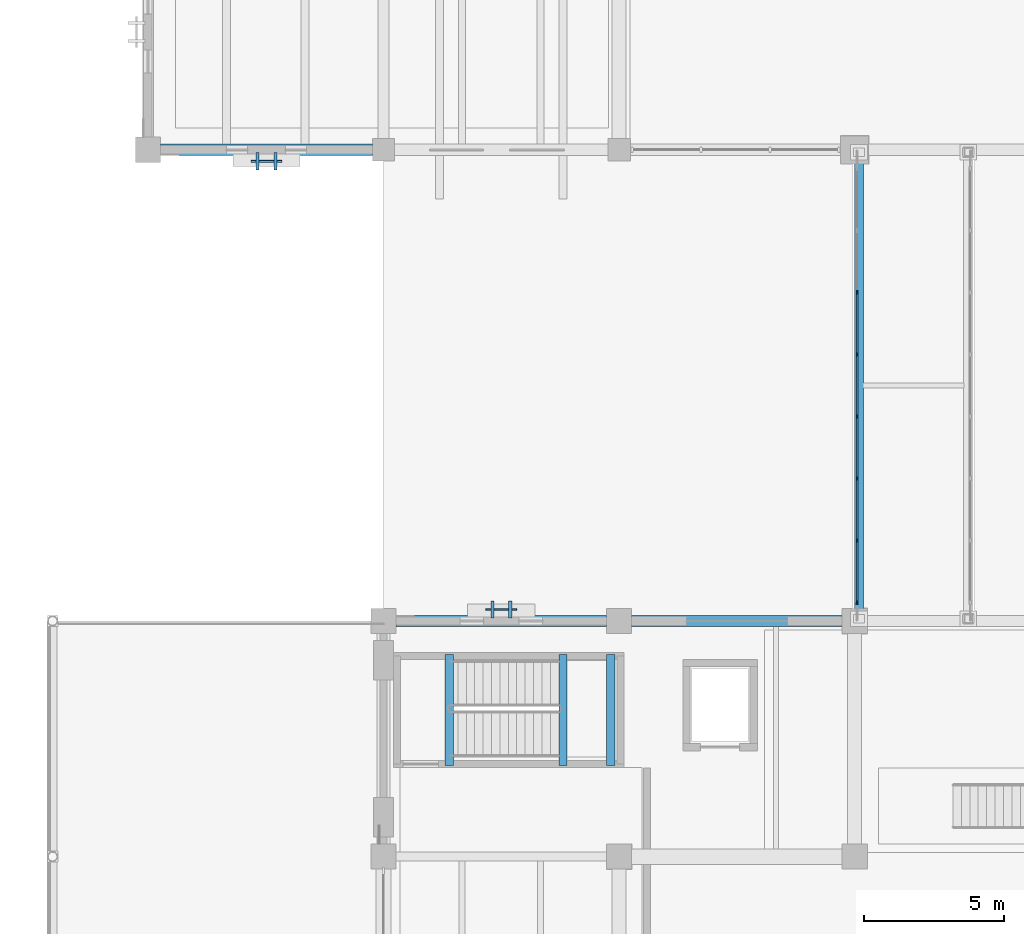
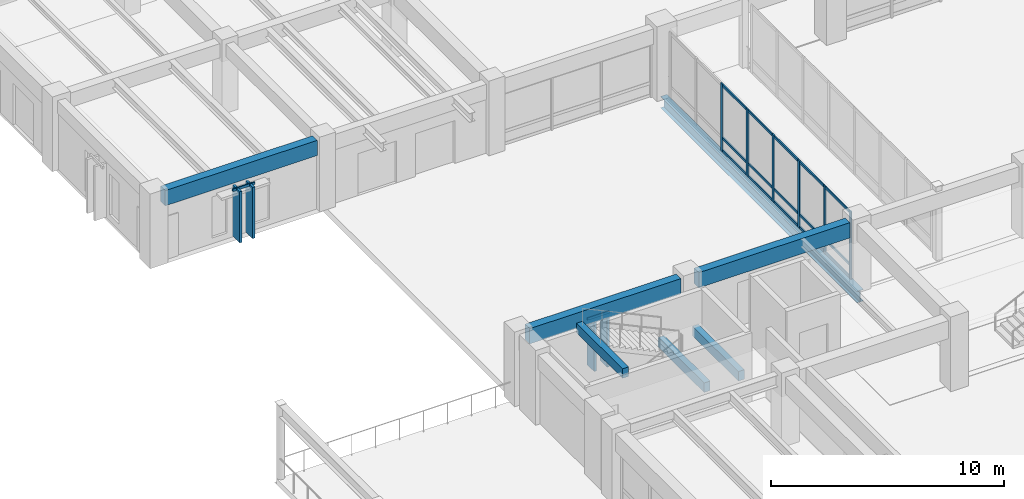
# One storey, part 36 of 135: 27 members, 7 beams, 3 elements without a shape of their own.
"""IFC4 building model written with IfcOpenShell, lengths in metres."""

from ifc_helpers import new_model, si_unit, direction, frame, origin, origin_2d, place, context, subcontext, project, spatial, rectangle, i_section, extrude, material, material_profile, profile_set, type_object, element, aggregate, save


model = new_model("IFC4")

# Units and contexts
model_context = context("Model", 3, precision=1e-05, world=origin(), true_north=direction((0.0, 1.0)))
body_context = subcontext(model_context, "Body", "Model", "MODEL_VIEW")
ifc_project = project(units=[si_unit("LENGTHUNIT", "METRE"), si_unit("AREAUNIT", "SQUARE_METRE"), si_unit("VOLUMEUNIT", "CUBIC_METRE"), si_unit("PLANEANGLEUNIT", "RADIAN"), si_unit("MASSUNIT", "GRAM", prefix="KILO")], contexts=[model_context])

# Site, building, storey
site_placement = place(None, origin())
site = spatial("IfcSite", under=ifc_project, at=site_placement, CompositionType="ELEMENT")
building_placement = place(site_placement, origin())
building = spatial("IfcBuilding", under=site, at=building_placement, Name="Cumbredor Promenade Congress Hotel", CompositionType="ELEMENT")
storey_placement = place(building_placement, origin())
storey = spatial("IfcBuildingStorey", under=building, at=storey_placement, Name="L00", CompositionType="ELEMENT", Elevation=0.0)

# Beam
ifc_material_1 = material(Name="Steel ASTM A992 Grade 50", Category="steel")
ifc_material_profile_1 = material_profile(ifc_material_1, i_section(OverallWidth=0.323974609375, OverallDepth=0.611083984375, WebThickness=0.0126953125, FlangeThickness=0.01904296875, at=origin_2d()), Name="W24X104")
ifc_profile_set_1 = profile_set([ifc_material_profile_1], Name="Steel ASTM A992 Grade 50")
beam_type_1 = type_object("IfcBeamType", Name="BM-W24X104", PredefinedType="BEAM", material=ifc_profile_set_1)
beam_1_placement = place(storey_placement, frame((25.35009765625, 67.159912109375, -0.525390625), z_axis=(0.0, 1.0, 0.0), x_axis=(-1.0, 0.0, 0.0)))
element("IfcBeam", 1, at=beam_1_placement, inside=storey, type_object=beam_type_1, Name="L00 West Congress-to-Hotel Glazed Bridge Edge Girder 1", PredefinedType="BEAM", context=body_context, shape_type="SweptSolid", body=[
    extrude(i_section(OverallWidth=0.323974609375, OverallDepth=0.611083984375, WebThickness=0.0126953125, FlangeThickness=0.01904296875, at=origin_2d()), origin(), (0.0, 0.0, 1.0), 16.880126953125),
])

# Curtain wall, members
ifc_material_2 = material(Name="Thermally broken anodized aluminium and low-E glass", Category="aluminium")
curtain_wall_type_1 = type_object("IfcCurtainWallType", Name="Unitised Bridge Glazing Screen CW-05", PredefinedType="NOTDEFINED", material=ifc_material_2)
curtain_wall_1_placement = place(storey_placement, origin())
curtain_wall_1 = element("IfcCurtainWall", 2, at=curtain_wall_1_placement, inside=storey, type_object=curtain_wall_type_1, Name="L00 West Congress-to-Hotel Glazed Bridge West Glazing Screen", PredefinedType="NOTDEFINED")
ifc_material_3 = material(Name="Thermally broken anodized aluminium", Category="aluminium")
ifc_material_profile_2 = material_profile(ifc_material_3, rectangle(XDim=0.06494140625, YDim=0.159912109375, at=origin_2d()), Name="ALU MULLION 65x160")
ifc_profile_set_2 = profile_set([ifc_material_profile_2], Name="Thermally broken anodized aluminium")
member_type_1 = type_object("IfcMemberType", Name="Curtain Wall Mullion ML-01", PredefinedType="MULLION", material=ifc_profile_set_2)
member_1_placement = place(storey_placement, frame((25.280029296875, 67.860107421875, -0.008056640625), z_axis=(0.0, 0.0, 1.0), x_axis=(1.0, 0.0, 0.0)))
member_1 = element("IfcMember", 3, at=member_1_placement, type_object=member_type_1, Name="L00 West Congress-to-Hotel Glazed Bridge West Glazing Screen Mullion 1", PredefinedType="MULLION", context=body_context, shape_type="SweptSolid", body=[
    extrude(rectangle(XDim=0.06494140625, YDim=0.159912109375, at=origin_2d()), origin(), (0.0, 0.0, 1.0), 3.55615234375),
])
member_2_placement = place(storey_placement, frame((25.280029296875, 70.0712890625, -0.008056640625), z_axis=(0.0, 0.0, 1.0), x_axis=(1.0, 0.0, 0.0)))
member_2 = element("IfcMember", 4, at=member_2_placement, type_object=member_type_1, Name="L00 West Congress-to-Hotel Glazed Bridge West Glazing Screen Mullion 2", PredefinedType="MULLION", context=body_context, shape_type="SweptSolid", body=[
    extrude(rectangle(XDim=0.06494140625, YDim=0.159912109375, at=origin_2d()), origin(), (0.0, 0.0, 1.0), 3.55615234375),
])
member_3_placement = place(storey_placement, frame((25.280029296875, 72.282958984375, -0.008056640625), z_axis=(0.0, 0.0, 1.0), x_axis=(1.0, 0.0, 0.0)))
member_3 = element("IfcMember", 5, at=member_3_placement, type_object=member_type_1, Name="L00 West Congress-to-Hotel Glazed Bridge West Glazing Screen Mullion 3", PredefinedType="MULLION", context=body_context, shape_type="SweptSolid", body=[
    extrude(rectangle(XDim=0.06494140625, YDim=0.159912109375, at=origin_2d()), origin(), (0.0, 0.0, 1.0), 3.55615234375),
])
member_4_placement = place(storey_placement, frame((25.280029296875, 74.494384765625, -0.008056640625), z_axis=(0.0, 0.0, 1.0), x_axis=(1.0, 0.0, 0.0)))
member_4 = element("IfcMember", 6, at=member_4_placement, type_object=member_type_1, Name="L00 West Congress-to-Hotel Glazed Bridge West Glazing Screen Mullion 4", PredefinedType="MULLION", context=body_context, shape_type="SweptSolid", body=[
    extrude(rectangle(XDim=0.06494140625, YDim=0.159912109375, at=origin_2d()), origin(), (0.0, 0.0, 1.0), 3.55615234375),
])
member_5_placement = place(storey_placement, frame((25.280029296875, 76.705810546875, -0.008056640625), z_axis=(0.0, 0.0, 1.0), x_axis=(1.0, 0.0, 0.0)))
member_5 = element("IfcMember", 7, at=member_5_placement, type_object=member_type_1, Name="L00 West Congress-to-Hotel Glazed Bridge West Glazing Screen Mullion 5", PredefinedType="MULLION", context=body_context, shape_type="SweptSolid", body=[
    extrude(rectangle(XDim=0.06494140625, YDim=0.159912109375, at=origin_2d()), origin(), (0.0, 0.0, 1.0), 3.55615234375),
])
member_6_placement = place(storey_placement, frame((25.280029296875, 78.9169921875, -0.008056640625), z_axis=(0.0, 0.0, 1.0), x_axis=(1.0, 0.0, 0.0)))
member_6 = element("IfcMember", 8, at=member_6_placement, type_object=member_type_1, Name="L00 West Congress-to-Hotel Glazed Bridge West Glazing Screen Mullion 6", PredefinedType="MULLION", context=body_context, shape_type="SweptSolid", body=[
    extrude(rectangle(XDim=0.06494140625, YDim=0.159912109375, at=origin_2d()), origin(), (0.0, 0.0, 1.0), 3.55615234375),
])

# Curtain wall, member
curtain_wall_type_2 = type_object("IfcCurtainWallType", Name="Solar Brise-Soleil Screen Assembly CW-07", PredefinedType="NOTDEFINED", material=ifc_material_2)
curtain_wall_2_placement = place(storey_placement, origin())
curtain_wall_2 = element("IfcCurtainWall", 9, at=curtain_wall_2_placement, inside=storey, type_object=curtain_wall_type_2, Name="L00 Pier Brise-Soleil Screen 0010", PredefinedType="NOTDEFINED")
ifc_material_profile_3 = material_profile(ifc_material_3, rectangle(XDim=0.06494140625, YDim=0.1298828125, at=origin_2d()), Name="ALU TRANSOM 65x130")
ifc_profile_set_3 = profile_set([ifc_material_profile_3], Name="Thermally broken anodized aluminium")
member_type_2 = type_object("IfcMemberType", Name="Curtain Wall Transom TR-01", PredefinedType="USERDEFINED", material=ifc_profile_set_3)
member_7_placement = place(storey_placement, frame((12.050048828125, 67.610107421875, 2.6650390625), z_axis=(1.0, 0.0, 0.0), x_axis=(0.0, 1.0, 0.0)))
member_7 = element("IfcMember", 10, at=member_7_placement, type_object=member_type_2, Name="L00 Pier Brise-Soleil Header 0012", ObjectType="TRANSOM", PredefinedType="USERDEFINED", context=body_context, shape_type="SweptSolid", body=[
    extrude(rectangle(XDim=0.06494140625, YDim=0.1298828125, at=origin_2d()), origin(), (0.0, 0.0, 1.0), 1.099853515625),
])

curtain_wall_3_placement = place(storey_placement, origin())
curtain_wall_3 = element("IfcCurtainWall", 11, at=curtain_wall_3_placement, inside=storey, type_object=curtain_wall_type_2, Name="L00 Pier Brise-Soleil Screen 0094", PredefinedType="NOTDEFINED")
member_8_placement = place(storey_placement, frame((3.675048828125, 83.590087890625, 2.6650390625), z_axis=(1.0, 0.0, 0.0), x_axis=(0.0, 1.0, 0.0)))
member_8 = element("IfcMember", 12, at=member_8_placement, type_object=member_type_2, Name="L00 Pier Brise-Soleil Header 0096", ObjectType="TRANSOM", PredefinedType="USERDEFINED", context=body_context, shape_type="SweptSolid", body=[
    extrude(rectangle(XDim=0.06494140625, YDim=0.1298828125, at=origin_2d()), origin(), (0.0, 0.0, 1.0), 1.099853515625),
])

# Member
member_9_placement = place(storey_placement, frame((25.280029296875, 67.892578125, 0.070068359375), z_axis=(0.0, 1.0, 0.0), x_axis=(-1.0, 0.0, 0.0)))
member_9 = element("IfcMember", 13, at=member_9_placement, type_object=member_type_2, Name="L00 West Congress-to-Hotel Glazed Bridge West Glazing Screen Transom 1.1", ObjectType="TRANSOM", PredefinedType="USERDEFINED", context=body_context, shape_type="SweptSolid", body=[
    extrude(rectangle(XDim=0.06494140625, YDim=0.1298828125, at=origin_2d()), origin(), (0.0, 0.0, 1.0), 2.146240234375),
])

member_10_placement = place(storey_placement, frame((25.280029296875, 67.892578125, 0.719970703125), z_axis=(0.0, 1.0, 0.0), x_axis=(-1.0, 0.0, 0.0)))
member_10 = element("IfcMember", 14, at=member_10_placement, type_object=member_type_2, Name="L00 West Congress-to-Hotel Glazed Bridge West Glazing Screen Transom 1.2", ObjectType="TRANSOM", PredefinedType="USERDEFINED", context=body_context, shape_type="SweptSolid", body=[
    extrude(rectangle(XDim=0.06494140625, YDim=0.1298828125, at=origin_2d()), origin(), (0.0, 0.0, 1.0), 2.146240234375),
])

member_11_placement = place(storey_placement, frame((25.280029296875, 67.892578125, 3.47998046875), z_axis=(0.0, 1.0, 0.0), x_axis=(-1.0, 0.0, 0.0)))
member_11 = element("IfcMember", 15, at=member_11_placement, type_object=member_type_2, Name="L00 West Congress-to-Hotel Glazed Bridge West Glazing Screen Transom 1.3", ObjectType="TRANSOM", PredefinedType="USERDEFINED", context=body_context, shape_type="SweptSolid", body=[
    extrude(rectangle(XDim=0.06494140625, YDim=0.1298828125, at=origin_2d()), origin(), (0.0, 0.0, 1.0), 2.146240234375),
])

member_12_placement = place(storey_placement, frame((25.280029296875, 70.10400390625, 0.070068359375), z_axis=(0.0, 1.0, 0.0), x_axis=(-1.0, 0.0, 0.0)))
member_12 = element("IfcMember", 16, at=member_12_placement, type_object=member_type_2, Name="L00 West Congress-to-Hotel Glazed Bridge West Glazing Screen Transom 2.1", ObjectType="TRANSOM", PredefinedType="USERDEFINED", context=body_context, shape_type="SweptSolid", body=[
    extrude(rectangle(XDim=0.06494140625, YDim=0.1298828125, at=origin_2d()), origin(), (0.0, 0.0, 1.0), 2.146484375),
])

member_13_placement = place(storey_placement, frame((25.280029296875, 70.10400390625, 0.719970703125), z_axis=(0.0, 1.0, 0.0), x_axis=(-1.0, 0.0, 0.0)))
member_13 = element("IfcMember", 17, at=member_13_placement, type_object=member_type_2, Name="L00 West Congress-to-Hotel Glazed Bridge West Glazing Screen Transom 2.2", ObjectType="TRANSOM", PredefinedType="USERDEFINED", context=body_context, shape_type="SweptSolid", body=[
    extrude(rectangle(XDim=0.06494140625, YDim=0.1298828125, at=origin_2d()), origin(), (0.0, 0.0, 1.0), 2.146484375),
])

member_14_placement = place(storey_placement, frame((25.280029296875, 70.10400390625, 3.47998046875), z_axis=(0.0, 1.0, 0.0), x_axis=(-1.0, 0.0, 0.0)))
member_14 = element("IfcMember", 18, at=member_14_placement, type_object=member_type_2, Name="L00 West Congress-to-Hotel Glazed Bridge West Glazing Screen Transom 2.3", ObjectType="TRANSOM", PredefinedType="USERDEFINED", context=body_context, shape_type="SweptSolid", body=[
    extrude(rectangle(XDim=0.06494140625, YDim=0.1298828125, at=origin_2d()), origin(), (0.0, 0.0, 1.0), 2.146484375),
])

member_15_placement = place(storey_placement, frame((25.280029296875, 72.3154296875, 0.070068359375), z_axis=(0.0, 1.0, 0.0), x_axis=(-1.0, 0.0, 0.0)))
member_15 = element("IfcMember", 19, at=member_15_placement, type_object=member_type_2, Name="L00 West Congress-to-Hotel Glazed Bridge West Glazing Screen Transom 3.1", ObjectType="TRANSOM", PredefinedType="USERDEFINED", context=body_context, shape_type="SweptSolid", body=[
    extrude(rectangle(XDim=0.06494140625, YDim=0.1298828125, at=origin_2d()), origin(), (0.0, 0.0, 1.0), 2.146484375),
])

member_16_placement = place(storey_placement, frame((25.280029296875, 72.3154296875, 0.719970703125), z_axis=(0.0, 1.0, 0.0), x_axis=(-1.0, 0.0, 0.0)))
member_16 = element("IfcMember", 20, at=member_16_placement, type_object=member_type_2, Name="L00 West Congress-to-Hotel Glazed Bridge West Glazing Screen Transom 3.2", ObjectType="TRANSOM", PredefinedType="USERDEFINED", context=body_context, shape_type="SweptSolid", body=[
    extrude(rectangle(XDim=0.06494140625, YDim=0.1298828125, at=origin_2d()), origin(), (0.0, 0.0, 1.0), 2.146484375),
])

member_17_placement = place(storey_placement, frame((25.280029296875, 72.3154296875, 3.47998046875), z_axis=(0.0, 1.0, 0.0), x_axis=(-1.0, 0.0, 0.0)))
member_17 = element("IfcMember", 21, at=member_17_placement, type_object=member_type_2, Name="L00 West Congress-to-Hotel Glazed Bridge West Glazing Screen Transom 3.3", ObjectType="TRANSOM", PredefinedType="USERDEFINED", context=body_context, shape_type="SweptSolid", body=[
    extrude(rectangle(XDim=0.06494140625, YDim=0.1298828125, at=origin_2d()), origin(), (0.0, 0.0, 1.0), 2.146484375),
])

member_18_placement = place(storey_placement, frame((25.280029296875, 74.52685546875, 0.070068359375), z_axis=(0.0, 1.0, 0.0), x_axis=(-1.0, 0.0, 0.0)))
member_18 = element("IfcMember", 22, at=member_18_placement, type_object=member_type_2, Name="L00 West Congress-to-Hotel Glazed Bridge West Glazing Screen Transom 4.1", ObjectType="TRANSOM", PredefinedType="USERDEFINED", context=body_context, shape_type="SweptSolid", body=[
    extrude(rectangle(XDim=0.06494140625, YDim=0.1298828125, at=origin_2d()), origin(), (0.0, 0.0, 1.0), 2.146240234375),
])

member_19_placement = place(storey_placement, frame((25.280029296875, 74.52685546875, 0.719970703125), z_axis=(0.0, 1.0, 0.0), x_axis=(-1.0, 0.0, 0.0)))
member_19 = element("IfcMember", 23, at=member_19_placement, type_object=member_type_2, Name="L00 West Congress-to-Hotel Glazed Bridge West Glazing Screen Transom 4.2", ObjectType="TRANSOM", PredefinedType="USERDEFINED", context=body_context, shape_type="SweptSolid", body=[
    extrude(rectangle(XDim=0.06494140625, YDim=0.1298828125, at=origin_2d()), origin(), (0.0, 0.0, 1.0), 2.146240234375),
])

member_20_placement = place(storey_placement, frame((25.280029296875, 74.52685546875, 3.47998046875), z_axis=(0.0, 1.0, 0.0), x_axis=(-1.0, 0.0, 0.0)))
member_20 = element("IfcMember", 24, at=member_20_placement, type_object=member_type_2, Name="L00 West Congress-to-Hotel Glazed Bridge West Glazing Screen Transom 4.3", ObjectType="TRANSOM", PredefinedType="USERDEFINED", context=body_context, shape_type="SweptSolid", body=[
    extrude(rectangle(XDim=0.06494140625, YDim=0.1298828125, at=origin_2d()), origin(), (0.0, 0.0, 1.0), 2.146240234375),
])

member_21_placement = place(storey_placement, frame((25.280029296875, 76.73828125, 0.070068359375), z_axis=(0.0, 1.0, 0.0), x_axis=(-1.0, 0.0, 0.0)))
member_21 = element("IfcMember", 25, at=member_21_placement, type_object=member_type_2, Name="L00 West Congress-to-Hotel Glazed Bridge West Glazing Screen Transom 5.1", ObjectType="TRANSOM", PredefinedType="USERDEFINED", context=body_context, shape_type="SweptSolid", body=[
    extrude(rectangle(XDim=0.06494140625, YDim=0.1298828125, at=origin_2d()), origin(), (0.0, 0.0, 1.0), 2.146240234375),
])

member_22_placement = place(storey_placement, frame((25.280029296875, 76.73828125, 0.719970703125), z_axis=(0.0, 1.0, 0.0), x_axis=(-1.0, 0.0, 0.0)))
member_22 = element("IfcMember", 26, at=member_22_placement, type_object=member_type_2, Name="L00 West Congress-to-Hotel Glazed Bridge West Glazing Screen Transom 5.2", ObjectType="TRANSOM", PredefinedType="USERDEFINED", context=body_context, shape_type="SweptSolid", body=[
    extrude(rectangle(XDim=0.06494140625, YDim=0.1298828125, at=origin_2d()), origin(), (0.0, 0.0, 1.0), 2.146240234375),
])

member_23_placement = place(storey_placement, frame((25.280029296875, 76.73828125, 3.47998046875), z_axis=(0.0, 1.0, 0.0), x_axis=(-1.0, 0.0, 0.0)))
member_23 = element("IfcMember", 27, at=member_23_placement, type_object=member_type_2, Name="L00 West Congress-to-Hotel Glazed Bridge West Glazing Screen Transom 5.3", ObjectType="TRANSOM", PredefinedType="USERDEFINED", context=body_context, shape_type="SweptSolid", body=[
    extrude(rectangle(XDim=0.06494140625, YDim=0.1298828125, at=origin_2d()), origin(), (0.0, 0.0, 1.0), 2.146240234375),
])

aggregate(curtain_wall_1, [member_1, member_2, member_3, member_4, member_5, member_6, member_9, member_10, member_11, member_12, member_13, member_14, member_15, member_16, member_17, member_18, member_19, member_20, member_21, member_22, member_23])

# Beams
ifc_material_4 = material(Name="Concrete C40/50", Category="concrete")
ifc_material_profile_4 = material_profile(ifc_material_4, rectangle(XDim=0.300048828125, YDim=0.5, at=origin_2d()), Name="RC LINTEL 300x500")
ifc_profile_set_4 = profile_set([ifc_material_profile_4], Name="Concrete C40/50")
beam_type_2 = type_object("IfcBeamType", Name="LN-RC-300x500", PredefinedType="LINTEL", material=ifc_profile_set_4)
for number, where, z_axis, x_axis, name in (
    (28, (16.5, 62.050048828125, 1.510009765625), (0.0, 1.0, 0.0), (-1.0, 0.0, 0.0), "L00 Stair ST-06 Landing Ledger Beam E"),
    (29, (14.800048828125, 62.050048828125, 1.510009765625), (0.0, 1.0, 0.0), (-1.0, 0.0, 0.0), "L00 Stair ST-06 Landing Ledger Beam W"),
    (30, (10.75, 62.050048828125, 3.669921875), (0.0, 1.0, 0.0), (-1.0, 0.0, 0.0), "L01 Stair ST-06 Well Header Trimmer Beam"),
):
    element("IfcBeam", number, at=place(storey_placement, frame(where, z_axis=z_axis, x_axis=x_axis)), inside=storey, type_object=beam_type_2, Name=name, PredefinedType="LINTEL", context=body_context, shape_type="SweptSolid", body=[
        extrude(rectangle(XDim=0.300048828125, YDim=0.5, at=origin_2d()), origin(), (0.0, 0.0, 1.0), 3.949951171875),
    ])
ifc_material_profile_5 = material_profile(ifc_material_4, rectangle(XDim=0.39990234375, YDim=0.800048828125, at=origin_2d()), Name="RC SPANDREL 400x800")
ifc_profile_set_5 = profile_set([ifc_material_profile_5], Name="Concrete C40/50")
beam_type_3 = type_object("IfcBeamType", Name="SP-RC-400x800", PredefinedType="SPANDREL", material=ifc_profile_set_5)
beam_2_placement = place(storey_placement, frame((0.449951171875, 84.0, 3.239990234375), z_axis=(1.0, 0.0, 0.0), x_axis=(0.0, 1.0, 0.0)))
element("IfcBeam", 31, at=beam_2_placement, inside=storey, type_object=beam_type_3, Name="L01 X-Grid Beam 001", PredefinedType="SPANDREL", context=body_context, shape_type="SweptSolid", body=[
    extrude(rectangle(XDim=0.39990234375, YDim=0.800048828125, at=origin_2d()), origin(), (0.0, 0.0, 1.0), 7.550048828125),
])
for number, where, z_axis, x_axis, name in (
    (32, (8.85009765625, 67.199951171875, 3.239990234375), (1.0, 0.0, 0.0), (0.0, 1.0, 0.0), "L01 X-Grid Beam 024"),
    (33, (17.25, 67.199951171875, 3.239990234375), (1.0, 0.0, 0.0), (0.0, 1.0, 0.0), "L01 X-Grid Beam 042"),
):
    element("IfcBeam", number, at=place(storey_placement, frame(where, z_axis=z_axis, x_axis=x_axis)), inside=storey, type_object=beam_type_3, Name=name, PredefinedType="SPANDREL", context=body_context, shape_type="SweptSolid", body=[
        extrude(rectangle(XDim=0.39990234375, YDim=0.800048828125, at=origin_2d()), origin(), (0.0, 0.0, 1.0), 7.5),
    ])

# Member
ifc_material_profile_6 = material_profile(ifc_material_3, rectangle(XDim=0.110107421875, YDim=0.6201171875, at=origin_2d()), Name="ARCH FIN 110x620")
ifc_profile_set_6 = profile_set([ifc_material_profile_6], Name="Thermally broken anodized aluminium")
member_type_3 = type_object("IfcMemberType", Name="Vertical Bronze Brise-Soleil Fin BSF-02 110x620", PredefinedType="USERDEFINED", material=ifc_profile_set_6)
member_24_placement = place(storey_placement, frame((12.280029296875, 67.610107421875, 0.02001953125), z_axis=(0.0, 0.0, 1.0), x_axis=(1.0, 0.0, 0.0)))
member_24 = element("IfcMember", 34, at=member_24_placement, type_object=member_type_3, Name="L00 Pier Brise-Soleil Fin 0011", ObjectType="SOLAR FIN", PredefinedType="USERDEFINED", context=body_context, shape_type="SweptSolid", body=[
    extrude(rectangle(XDim=0.110107421875, YDim=0.6201171875, at=origin_2d()), origin(), (0.0, 0.0, 1.0), 2.68505859375),
])

member_25_placement = place(storey_placement, frame((12.919921875, 67.610107421875, 0.02001953125), z_axis=(0.0, 0.0, 1.0), x_axis=(1.0, 0.0, 0.0)))
member_25 = element("IfcMember", 35, at=member_25_placement, type_object=member_type_3, Name="L00 Pier Brise-Soleil Fin 0012", ObjectType="SOLAR FIN", PredefinedType="USERDEFINED", context=body_context, shape_type="SweptSolid", body=[
    extrude(rectangle(XDim=0.110107421875, YDim=0.6201171875, at=origin_2d()), origin(), (0.0, 0.0, 1.0), 2.68505859375),
])

aggregate(curtain_wall_2, [member_24, member_25, member_7])

member_26_placement = place(storey_placement, frame((3.905029296875, 83.590087890625, 0.02001953125), z_axis=(0.0, 0.0, 1.0), x_axis=(1.0, 0.0, 0.0)))
member_26 = element("IfcMember", 36, at=member_26_placement, type_object=member_type_3, Name="L00 Pier Brise-Soleil Fin 0095", ObjectType="SOLAR FIN", PredefinedType="USERDEFINED", context=body_context, shape_type="SweptSolid", body=[
    extrude(rectangle(XDim=0.110107421875, YDim=0.6201171875, at=origin_2d()), origin(), (0.0, 0.0, 1.0), 2.68505859375),
])

member_27_placement = place(storey_placement, frame((4.544921875, 83.590087890625, 0.02001953125), z_axis=(0.0, 0.0, 1.0), x_axis=(1.0, 0.0, 0.0)))
member_27 = element("IfcMember", 37, at=member_27_placement, type_object=member_type_3, Name="L00 Pier Brise-Soleil Fin 0096", ObjectType="SOLAR FIN", PredefinedType="USERDEFINED", context=body_context, shape_type="SweptSolid", body=[
    extrude(rectangle(XDim=0.110107421875, YDim=0.6201171875, at=origin_2d()), origin(), (0.0, 0.0, 1.0), 2.68505859375),
])

aggregate(curtain_wall_3, [member_26, member_27, member_8])

save(model, "model.ifc")
